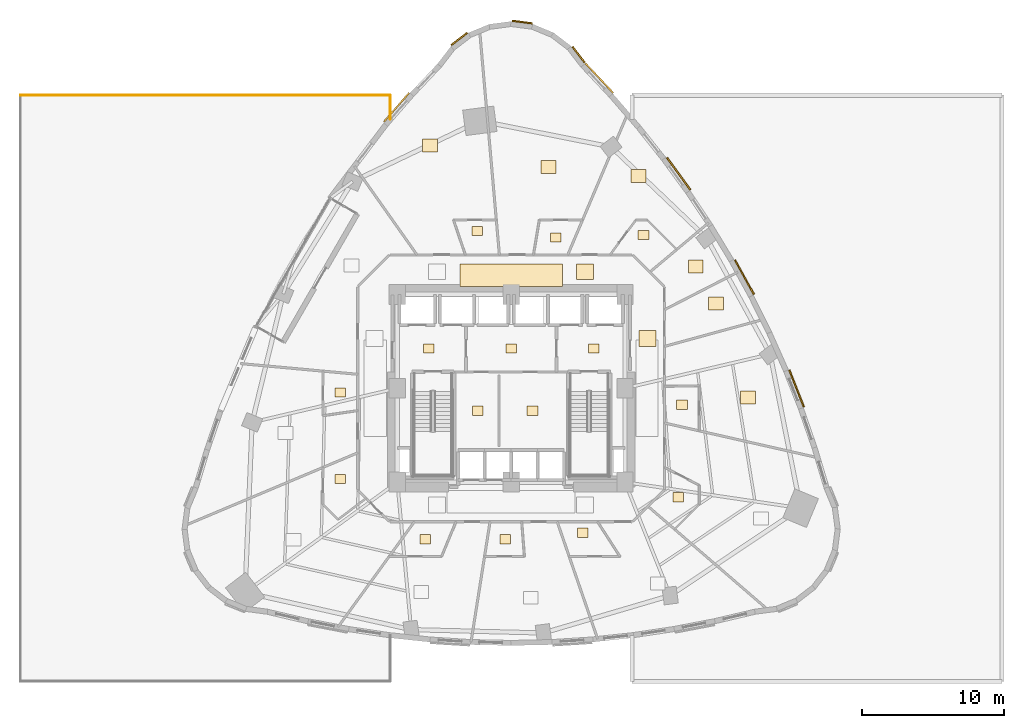
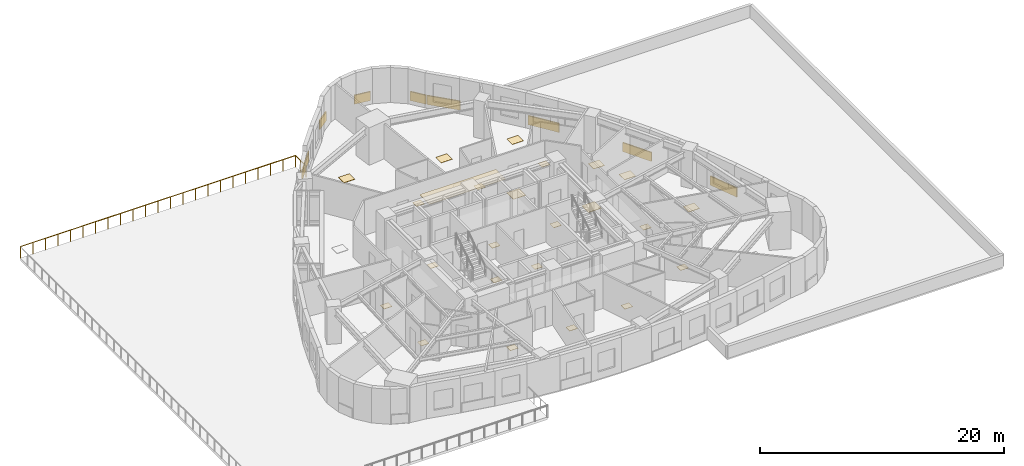
# One storey, part 15 of 15: 32 coverings, 2 railings.
"""IFC4 building model written with IfcOpenShell, lengths in metres."""

from ifc_helpers import new_model, si_unit, direction, frame, origin, origin_2d, place, context, subcontext, project, spatial, rectangle, circle, extrude, material, layer, layer_set, type_object, element, save


model = new_model("IFC4")

# Units and contexts
model_context = context("Model", 3, precision=1e-05, world=origin(), true_north=direction((0.0, 1.0)))
body_context = subcontext(model_context, "Body", "Model", "MODEL_VIEW")
ifc_project = project(units=[si_unit("LENGTHUNIT", "METRE"), si_unit("AREAUNIT", "SQUARE_METRE"), si_unit("VOLUMEUNIT", "CUBIC_METRE"), si_unit("PLANEANGLEUNIT", "RADIAN"), si_unit("MASSUNIT", "GRAM", prefix="KILO")], contexts=[model_context])

# Site, building, storey
site_placement = place(None, origin())
site = spatial("IfcSite", under=ifc_project, at=site_placement, CompositionType="ELEMENT")
building_placement = place(site_placement, origin())
building = spatial("IfcBuilding", under=site, at=building_placement, Name="Ndelora Gate Hotel", CompositionType="ELEMENT")
storey_placement = place(building_placement, frame((0.0, 0.0, 30.5)))
storey = spatial("IfcBuildingStorey", under=building, at=storey_placement, Name="L06", CompositionType="ELEMENT", Elevation=30.5)

# Coverings
ifc_material_1 = material(Name="Perforated Acoustic Gypsum Board", Category="gypsum")
ifc_layer_1 = layer(ifc_material_1, 0.054931640625)
ifc_layer_set_1 = layer_set([ifc_layer_1], Name="Perforated Acoustic Gypsum Board")
covering_type_1 = type_object("IfcCoveringType", Name="COV-CEIL-AC60", PredefinedType="CEILING", material=ifc_layer_set_1)
covering_1_placement = place(storey_placement, frame((0.0, 7.9599609375, 2.65234375), z_axis=(0.0, 0.0, 1.0), x_axis=(1.0, 0.0, 0.0)))
element("IfcCovering", 1, at=covering_1_placement, inside=storey, type_object=covering_type_1, Name="L06 Guest Corridor Acoustic Ceiling N", PredefinedType="CEILING", context=body_context, shape_type="SweptSolid", body=[
    extrude(rectangle(XDim=7.199951171875, YDim=1.580078125, at=origin_2d()), origin(), (0.0, 0.0, 1.0), 0.054931640625),
])
ifc_material_2 = material(Name="Terracotta Fired Clay Brick Slip Cladding", Category="masonry")
ifc_layer_2 = layer(ifc_material_2, 0.110107421875)
ifc_layer_set_2 = layer_set([ifc_layer_2], Name="Terracotta Fired Clay Brick Slip Cladding")
covering_type_2 = type_object("IfcCoveringType", Name="COV-CLAD-BRK", PredefinedType="CLADDING", material=ifc_layer_set_2)
for number, where, z_axis, x_axis, name in (
    (2, (4.747314453125, 23.45068359375, 0.10009765625), (0.0, 0.0, 1.0), (-0.608761429009, 0.793353340291, 0.0), "L06 Rounded-Corner Brick Cladding Band 1"),
    (3, (0.781005859375, 25.740478515625, 0.10009765625), (0.0, 0.0, 1.0), (-0.991444861374, 0.13052619222, 0.0), "L06 Rounded-Corner Brick Cladding Band 4"),
    (4, (-3.642578125, 24.55517578125, 0.10009765625), (0.0, 0.0, 1.0), (0.793353340291, 0.608761429009, 0.0), "L06 Rounded-Corner Brick Cladding Band 7"),
):
    element("IfcCovering", number, at=place(storey_placement, frame(where, z_axis=z_axis, x_axis=x_axis)), inside=storey, type_object=covering_type_2, Name=name, PredefinedType="CLADDING", context=body_context, shape_type="SweptSolid", body=[
        extrude(rectangle(XDim=1.4140625, YDim=0.110107421875, at=origin_2d()), origin(), (0.0, 0.0, 1.0), 0.89990234375),
    ])
covering_2_placement = place(storey_placement, frame((-8.05029296875, 19.75341796875, 0.10009765625), z_axis=(0.0, 0.0, 1.0), x_axis=(0.656454104053, 0.75436596508, 0.0)))
element("IfcCovering", 5, at=covering_2_placement, inside=storey, type_object=covering_type_2, Name="L06 Rounded-Corner Brick Cladding Band 10", PredefinedType="CLADDING", context=body_context, shape_type="SweptSolid", body=[
    extrude(rectangle(XDim=2.696044921875, YDim=0.110107421875, at=origin_2d()), origin(), (0.0, 0.0, 1.0), 0.89990234375),
])
covering_3_placement = place(storey_placement, frame((20.064208984375, -0.010498046875, 0.10009765625), z_axis=(0.0, 0.0, 1.0), x_axis=(-0.366338832643, 0.930481520342, 0.0)))
element("IfcCovering", 6, at=covering_3_placement, inside=storey, type_object=covering_type_2, Name="L06 Rounded-Corner Brick Cladding Band 49", PredefinedType="CLADDING", context=body_context, shape_type="SweptSolid", body=[
    extrude(rectangle(XDim=2.791015625, YDim=0.110107421875, at=origin_2d()), origin(), (0.0, 0.0, 1.0), 0.89990234375),
])
covering_4_placement = place(storey_placement, frame((16.398193359375, 7.81103515625, 0.10009765625), z_axis=(0.0, 0.0, 1.0), x_axis=(-0.48129477498, 0.876558805544, 0.0)))
element("IfcCovering", 7, at=covering_4_placement, inside=storey, type_object=covering_type_2, Name="L06 Rounded-Corner Brick Cladding Band 52", PredefinedType="CLADDING", context=body_context, shape_type="SweptSolid", body=[
    extrude(rectangle(XDim=2.760009765625, YDim=0.110107421875, at=origin_2d()), origin(), (0.0, 0.0, 1.0), 0.89990234375),
])
covering_5_placement = place(storey_placement, frame((11.776123046875, 15.080810546875, 0.10009765625), z_axis=(0.0, 0.0, 1.0), x_axis=(-0.589196357353, 0.807989883898, 0.0)))
element("IfcCovering", 8, at=covering_5_placement, inside=storey, type_object=covering_type_2, Name="L06 Rounded-Corner Brick Cladding Band 55", PredefinedType="CLADDING", context=body_context, shape_type="SweptSolid", body=[
    extrude(rectangle(XDim=2.77490234375, YDim=0.110107421875, at=origin_2d()), origin(), (0.0, 0.0, 1.0), 0.89990234375),
])
covering_6_placement = place(storey_placement, frame((6.198974609375, 21.7978515625, 0.10009765625), z_axis=(0.0, 0.0, 1.0), x_axis=(-0.684928699156, 0.728610099486, 0.0)))
element("IfcCovering", 9, at=covering_6_placement, inside=storey, type_object=covering_type_2, Name="L06 Rounded-Corner Brick Cladding Band 58", PredefinedType="CLADDING", context=body_context, shape_type="SweptSolid", body=[
    extrude(rectangle(XDim=2.8369140625, YDim=0.110107421875, at=origin_2d()), origin(), (0.0, 0.0, 1.0), 0.89990234375),
])
ifc_material_3 = material(Name="Engineered Highland Oak Parquet", Category="wood")
ifc_layer_3 = layer(ifc_material_3, 0.030029296875)
ifc_layer_set_3 = layer_set([ifc_layer_3], Name="Engineered Highland Oak Parquet")
covering_type_3 = type_object("IfcCoveringType", Name="COV-FLR-PARQ", PredefinedType="FLOORING", material=ifc_layer_set_3)
for number, where, z_axis, x_axis, name in (
    (10, (8.96484375, 14.919677734375, 0.0), (0.0, 0.0, 1.0), (1.0, 0.0, 0.0), "L06 Deluxe King Guest Room 901 Oak Parquet Flooring"),
    (11, (2.614990234375, 15.5595703125, 0.0), (0.0, 0.0, 1.0), (1.0, 0.0, 0.0), "L06 Twin Junior Suite 902 Oak Parquet Flooring"),
    (12, (-5.703125, 17.065673828125, 0.0), (0.0, 0.0, 1.0), (1.0, 0.0, 0.0), "L06 Corner Junior Suite 903 Oak Parquet Flooring"),
    (13, (16.64501953125, -0.641357421875, 0.0), (0.0, 0.0, 1.0), (1.0, 0.0, 0.0), "L06 Twin Guest Room 910 Oak Parquet Flooring"),
    (14, (14.4013671875, 5.96240234375, 0.0), (0.0, 0.0, 1.0), (1.0, 0.0, 0.0), "L06 Housekeeping and Linen Room Oak Parquet Flooring"),
    (15, (12.976318359375, 8.556884765625, 0.0), (0.0, 0.0, 1.0), (1.0, 0.0, 0.0), "L06 Accessible WC Oak Parquet Flooring"),
):
    element("IfcCovering", number, at=place(storey_placement, frame(where, z_axis=z_axis, x_axis=x_axis)), inside=storey, type_object=covering_type_3, Name=name, PredefinedType="FLOORING", context=body_context, shape_type="SweptSolid", body=[
        extrude(rectangle(XDim=1.050048828125, YDim=0.89990234375, at=origin_2d()), origin(), (0.0, 0.0, 1.0), 0.030029296875),
    ])
ifc_material_4 = material(Name="Polished Highland Stone Terrazzo", Category="masonry")
ifc_layer_4 = layer(ifc_material_4, 0.034912109375)
ifc_layer_set_4 = layer_set([ifc_layer_4], Name="Polished Highland Stone Terrazzo")
covering_type_4 = type_object("IfcCoveringType", Name="COV-FLR-TERZ", PredefinedType="FLOORING", material=ifc_layer_set_4)
for number, where, z_axis, x_axis, name in (
    (16, (5.199951171875, 8.199951171875, 0.0), (0.0, 0.0, 1.0), (1.0, 0.0, 0.0), "L06 Corridor Threshold Terrazzo Inlay NE"),
    (17, (9.60009765625, 3.5, 0.0), (0.0, 0.0, 1.0), (1.0, 0.0, 0.0), "L06 Corridor Threshold Terrazzo Inlay E"),
):
    element("IfcCovering", number, at=place(storey_placement, frame(where, z_axis=z_axis, x_axis=x_axis)), inside=storey, type_object=covering_type_4, Name=name, PredefinedType="FLOORING", context=body_context, shape_type="SweptSolid", body=[
        extrude(rectangle(XDim=1.199951171875, YDim=1.10009765625, at=origin_2d()), origin(), (0.0, 0.0, 1.0), 0.034912109375),
    ])
ifc_material_5 = material(Name="Non-Slip Porcelain Wet-Room Tile", Category="ceramic")
ifc_layer_5 = layer(ifc_material_5, 0.02490234375)
ifc_layer_set_5 = layer_set([ifc_layer_5], Name="Non-Slip Porcelain Wet-Room Tile")
covering_type_5 = type_object("IfcCoveringType", Name="COV-FLR-TILE", PredefinedType="FLOORING", material=ifc_layer_set_5)
for number, where, z_axis, x_axis, name in (
    (18, (-5.800048828125, 2.800048828125, 0.0), (0.0, 0.0, 1.0), (1.0, 0.0, 0.0), "L06 Firefighting Lift Lobby West Porcelain Tile Flooring"),
    (19, (5.800048828125, 2.800048828125, 0.0), (0.0, 0.0, 1.0), (1.0, 0.0, 0.0), "L06 Firefighting Lift Lobby East Porcelain Tile Flooring"),
    (20, (0.0, 2.800048828125, 0.0), (0.0, 0.0, 1.0), (1.0, 0.0, 0.0), "L06 Central Passenger Lift Lobby Porcelain Tile Flooring"),
    (21, (-2.35009765625, -1.574951171875, 0.0), (0.0, 0.0, 1.0), (1.0, 0.0, 0.0), "L06 Core Electrical Switchroom Porcelain Tile Flooring"),
    (22, (1.5, -1.574951171875, 0.0), (0.0, 0.0, 1.0), (1.0, 0.0, 0.0), "L06 Central Linen Equipment Store Porcelain Tile Flooring"),
    (23, (9.2998046875, 10.772705078125, 0.0), (0.0, 0.0, 1.0), (1.0, 0.0, 0.0), "L06 En-suite Bathroom 901 Porcelain Tile Flooring"),
    (24, (3.135498046875, 10.60498046875, 0.0), (0.0, 0.0, 1.0), (1.0, 0.0, 0.0), "L06 En-suite Bathroom 902 Porcelain Tile Flooring"),
    (25, (-2.38037109375, 11.059814453125, 0.0), (0.0, 0.0, 1.0), (1.0, 0.0, 0.0), "L06 En-suite Bathroom 903 Porcelain Tile Flooring"),
    (26, (-12.0048828125, -0.294921875, 0.0), (0.0, 0.0, 1.0), (1.0, 0.0, 0.0), "L06 En-suite Bathroom 904 Porcelain Tile Flooring"),
    (27, (-12.0048828125, -6.370849609375, 0.0), (0.0, 0.0, 1.0), (1.0, 0.0, 0.0), "L06 En-suite Bathroom 905 Porcelain Tile Flooring"),
    (28, (-6.033203125, -10.60498046875, 0.0), (0.0, 0.0, 1.0), (1.0, 0.0, 0.0), "L06 En-suite Bathroom 906 Porcelain Tile Flooring"),
    (29, (-0.4189453125, -10.60498046875, 0.0), (0.0, 0.0, 1.0), (1.0, 0.0, 0.0), "L06 En-suite Bathroom 907 Porcelain Tile Flooring"),
    (30, (5.040771484375, -10.161376953125, 0.0), (0.0, 0.0, 1.0), (1.0, 0.0, 0.0), "L06 En-suite Bathroom 908 Porcelain Tile Flooring"),
    (31, (11.756591796875, -7.663330078125, 0.0), (0.0, 0.0, 1.0), (1.0, 0.0, 0.0), "L06 En-suite Bathroom 909 Porcelain Tile Flooring"),
    (32, (12.0048828125, -1.15380859375, 0.0), (0.0, 0.0, 1.0), (1.0, 0.0, 0.0), "L06 En-suite Bathroom 910 Porcelain Tile Flooring"),
):
    element("IfcCovering", number, at=place(storey_placement, frame(where, z_axis=z_axis, x_axis=x_axis)), inside=storey, type_object=covering_type_5, Name=name, PredefinedType="FLOORING", context=body_context, shape_type="SweptSolid", body=[
        extrude(rectangle(XDim=0.75, YDim=0.64990234375, at=origin_2d()), origin(), (0.0, 0.0, 1.0), 0.02490234375),
    ])

# Railings
ifc_material_6 = material(Name="Laminated Safety Glass and Bronze Top Rail", Category="glass")
ifc_layer_6 = layer(ifc_material_6, 0.070068359375)
ifc_layer_set_6 = layer_set([ifc_layer_6], Name="Laminated Safety Glass and Bronze Top Rail")
railing_type = type_object("IfcRailingType", Name="RL-BAL-1150", PredefinedType="BALUSTRADE", material=ifc_layer_set_6)
railing_1_placement = place(storey_placement, frame((-8.5, 18.9111328125, 0.0)))
element("IfcRailing", 33, at=railing_1_placement, inside=storey, type_object=railing_type, Name="L06 West Podium Terrace Safety Balustrade 1", PredefinedType="BALUSTRADE", context=body_context, shape_type="SweptSolid", body=[
    extrude(circle(Radius=0.02392578125, at=origin_2d()), frame((0.0, 0.0, 1.1357421875), z_axis=(0.0, 1.0, 0.0), x_axis=(-1.0, 0.0, 0.0)), (0.0, 0.0, 1.0), 1.68896484375),
    extrude(circle(Radius=0.02099609375, at=origin_2d()), origin(), (0.0, 0.0, 1.0), 1.11181640625),
    extrude(circle(Radius=0.02099609375, at=origin_2d()), frame((0.0, 0.844482421875, 0.0)), (0.0, 0.0, 1.0), 1.11181640625),
    extrude(circle(Radius=0.02099609375, at=origin_2d()), frame((0.0, 1.68896484375, 0.0)), (0.0, 0.0, 1.0), 1.11181640625),
])
railing_2_placement = place(storey_placement, frame((-8.5, 20.60009765625, 0.0)))
element("IfcRailing", 34, at=railing_2_placement, inside=storey, type_object=railing_type, Name="L06 West Podium Terrace Safety Balustrade 2", PredefinedType="BALUSTRADE", context=body_context, shape_type="SweptSolid", body=[
    extrude(circle(Radius=0.02392578125, at=origin_2d()), frame((0.0, 0.0, 1.1357421875), z_axis=(-1.0, 0.0, 0.0), x_axis=(0.0, -1.0, 0.0)), (0.0, 0.0, 1.0), 26.0),
    extrude(circle(Radius=0.02099609375, at=origin_2d()), origin(), (0.0, 0.0, 1.0), 1.11181640625),
    extrude(circle(Radius=0.02099609375, at=origin_2d()), frame((-1.181884765625, 0.0, 0.0)), (0.0, 0.0, 1.0), 1.11181640625),
    extrude(circle(Radius=0.02099609375, at=origin_2d()), frame((-2.363525390625, 0.0, 0.0)), (0.0, 0.0, 1.0), 1.11181640625),
    extrude(circle(Radius=0.02099609375, at=origin_2d()), frame((-3.54541015625, 0.0, 0.0)), (0.0, 0.0, 1.0), 1.11181640625),
    extrude(circle(Radius=0.02099609375, at=origin_2d()), frame((-4.727294921875, 0.0, 0.0)), (0.0, 0.0, 1.0), 1.11181640625),
    extrude(circle(Radius=0.02099609375, at=origin_2d()), frame((-5.9091796875, 0.0, 0.0)), (0.0, 0.0, 1.0), 1.11181640625),
    extrude(circle(Radius=0.02099609375, at=origin_2d()), frame((-7.0908203125, 0.0, 0.0)), (0.0, 0.0, 1.0), 1.11181640625),
    extrude(circle(Radius=0.02099609375, at=origin_2d()), frame((-8.272705078125, 0.0, 0.0)), (0.0, 0.0, 1.0), 1.11181640625),
    extrude(circle(Radius=0.02099609375, at=origin_2d()), frame((-9.45458984375, 0.0, 0.0)), (0.0, 0.0, 1.0), 1.11181640625),
    extrude(circle(Radius=0.02099609375, at=origin_2d()), frame((-10.636474609375, 0.0, 0.0)), (0.0, 0.0, 1.0), 1.11181640625),
    extrude(circle(Radius=0.02099609375, at=origin_2d()), frame((-11.818115234375, 0.0, 0.0)), (0.0, 0.0, 1.0), 1.11181640625),
    extrude(circle(Radius=0.02099609375, at=origin_2d()), frame((-13.0, 0.0, 0.0)), (0.0, 0.0, 1.0), 1.11181640625),
    extrude(circle(Radius=0.02099609375, at=origin_2d()), frame((-14.181884765625, 0.0, 0.0)), (0.0, 0.0, 1.0), 1.11181640625),
    extrude(circle(Radius=0.02099609375, at=origin_2d()), frame((-15.363525390625, 0.0, 0.0)), (0.0, 0.0, 1.0), 1.11181640625),
    extrude(circle(Radius=0.02099609375, at=origin_2d()), frame((-16.54541015625, 0.0, 0.0)), (0.0, 0.0, 1.0), 1.11181640625),
    extrude(circle(Radius=0.02099609375, at=origin_2d()), frame((-17.727294921875, 0.0, 0.0)), (0.0, 0.0, 1.0), 1.11181640625),
    extrude(circle(Radius=0.02099609375, at=origin_2d()), frame((-18.9091796875, 0.0, 0.0)), (0.0, 0.0, 1.0), 1.11181640625),
    extrude(circle(Radius=0.02099609375, at=origin_2d()), frame((-20.0908203125, 0.0, 0.0)), (0.0, 0.0, 1.0), 1.11181640625),
    extrude(circle(Radius=0.02099609375, at=origin_2d()), frame((-21.272705078125, 0.0, 0.0)), (0.0, 0.0, 1.0), 1.11181640625),
    extrude(circle(Radius=0.02099609375, at=origin_2d()), frame((-22.45458984375, 0.0, 0.0)), (0.0, 0.0, 1.0), 1.11181640625),
    extrude(circle(Radius=0.02099609375, at=origin_2d()), frame((-23.636474609375, 0.0, 0.0)), (0.0, 0.0, 1.0), 1.11181640625),
    extrude(circle(Radius=0.02099609375, at=origin_2d()), frame((-24.818115234375, 0.0, 0.0)), (0.0, 0.0, 1.0), 1.11181640625),
    extrude(circle(Radius=0.02099609375, at=origin_2d()), frame((-26.0, 0.0, 0.0)), (0.0, 0.0, 1.0), 1.11181640625),
])

save(model, "model.ifc")
